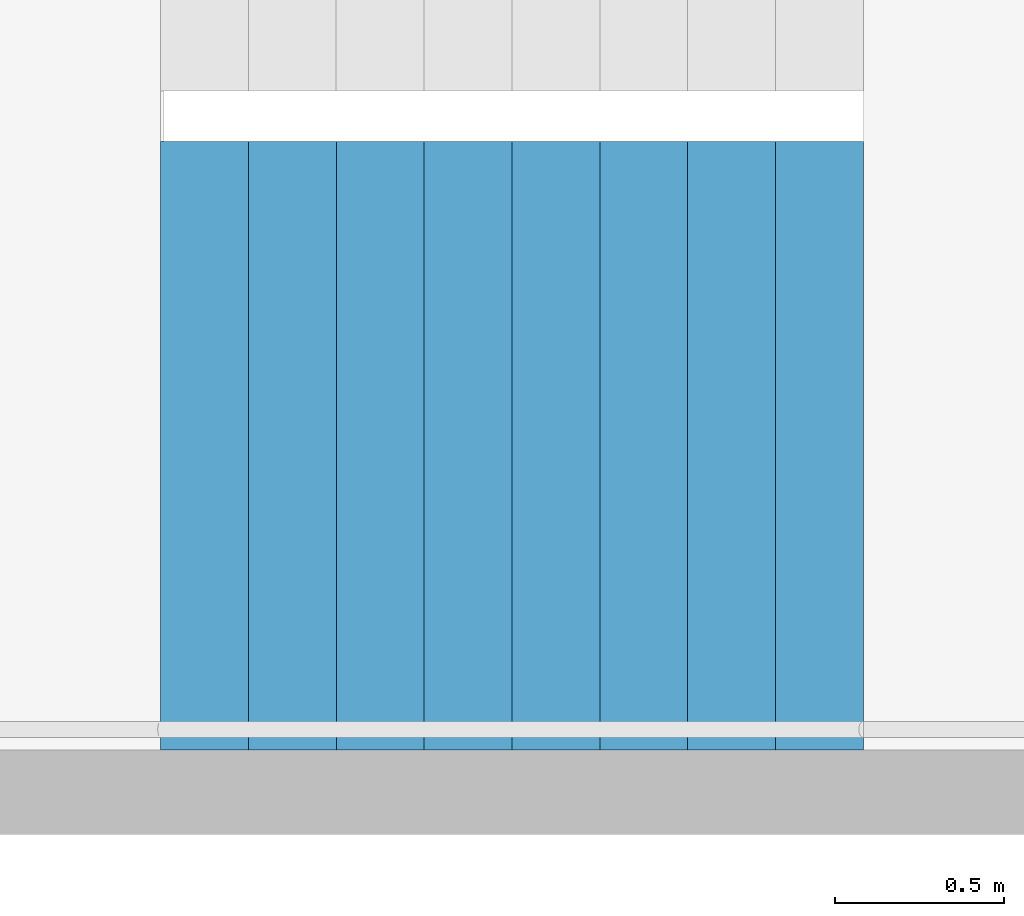
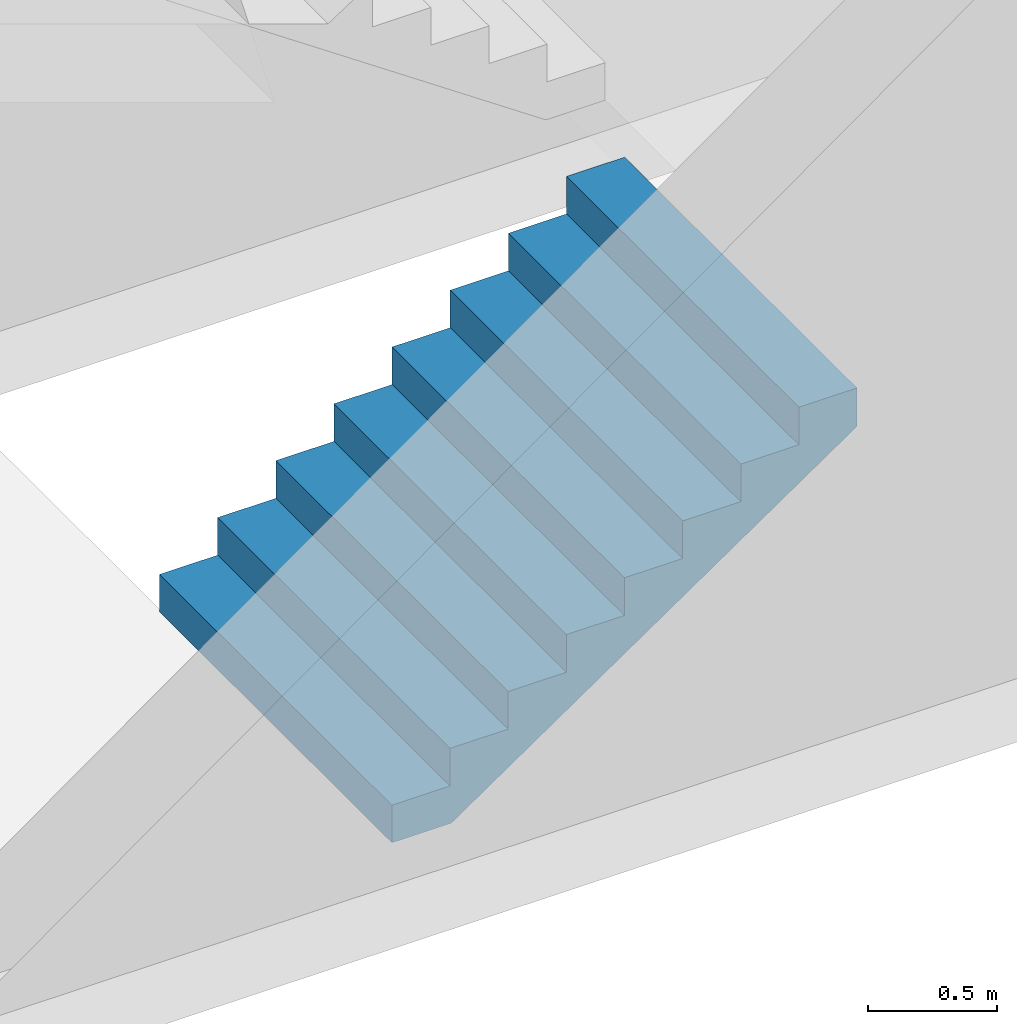
# One storey, part 21 of 44: 1 stair flight, 1 element without a shape of its own.
"""IFC4 building model written with IfcOpenShell, lengths in metres."""

from ifc_helpers import new_model, si_unit, direction, frame, origin, place, context, subcontext, project, spatial, triangles, material, type_object, element, aggregate, save


model = new_model("IFC4")

# Units and contexts
model_context = context("Model", 3, precision=1e-05, world=origin(), true_north=direction((0.0, 1.0)))
body_context = subcontext(model_context, "Body", "Model", "MODEL_VIEW")
ifc_project = project(units=[si_unit("LENGTHUNIT", "METRE"), si_unit("AREAUNIT", "SQUARE_METRE"), si_unit("VOLUMEUNIT", "CUBIC_METRE"), si_unit("PLANEANGLEUNIT", "RADIAN"), si_unit("MASSUNIT", "GRAM", prefix="KILO")], contexts=[model_context])

# Site, building, storey
site_placement = place(None, origin())
site = spatial("IfcSite", under=ifc_project, at=site_placement, CompositionType="ELEMENT")
building_placement = place(site_placement, origin())
building = spatial("IfcBuilding", under=site, at=building_placement, Name="Hakoniwa Tower and Hamabe Station Hall", CompositionType="ELEMENT")
storey_placement = place(building_placement, frame((0.0, 0.0, 69.0)))
storey = spatial("IfcBuildingStorey", under=building, at=storey_placement, Name="L19", CompositionType="ELEMENT", Elevation=69.0)

# Stair, stair flight
ifc_material_1 = material(Name="Concrete C40", Category="concrete")
stair_type = type_object("IfcStairType", Name="ESCAPE STAIR 1800", PredefinedType="HALF_TURN_STAIR", material=ifc_material_1)
stair_placement = place(storey_placement, origin())
stair = element("IfcStair", 1, at=stair_placement, inside=storey, type_object=stair_type, Name="Escape stair ST-1 L19", PredefinedType="HALF_TURN_STAIR")
ifc_material_2 = material(Name="Concrete C40", Category="concrete")
stair_flight_type = type_object("IfcStairFlightType", Name="STAIR FLIGHT 1800", PredefinedType="STRAIGHT", material=ifc_material_2)
stair_flight_placement = place(storey_placement, frame((-24.39990234375, 4.64990234375, 0.0), z_axis=(0.0, 0.0, 1.0), x_axis=(1.0, 0.0, 0.0)))
stair_flight = element("IfcStairFlight", 2, at=stair_flight_placement, type_object=stair_flight_type, Name="ST-1 flight 1", NumberOfRisers=9, NumberOfTreads=8, PredefinedType="STRAIGHT", RiserHeight=0.177777778, TreadLength=0.26, context=body_context, shape_type="Tessellation", body=[
    triangles([(0.0, 0.89990234375, 0.0), (0.260009765625, 0.89990234375, 0.0), (0.265625, 0.89990234375, 0.0), (0.52001953125, 0.89990234375, 0.174072265625), (0.780029296875, 0.89990234375, 0.351806640625), (1.0400390625, 0.89990234375, 0.529541015625), (1.300048828125, 0.89990234375, 0.707275390625), (1.56005859375, 0.89990234375, 0.885009765625), (1.820068359375, 0.89990234375, 1.062744140625), (2.080078125, 0.89990234375, 1.24072265625), (2.080078125, 0.89990234375, 1.422119140625), (1.820068359375, 0.89990234375, 1.422119140625), (1.820068359375, 0.89990234375, 1.244384765625), (1.56005859375, 0.89990234375, 1.244384765625), (1.56005859375, 0.89990234375, 1.066650390625), (1.300048828125, 0.89990234375, 1.066650390625), (1.300048828125, 0.89990234375, 0.888916015625), (1.0400390625, 0.89990234375, 0.888916015625), (1.0400390625, 0.89990234375, 0.711181640625), (0.780029296875, 0.89990234375, 0.711181640625), (0.780029296875, 0.89990234375, 0.533447265625), (0.52001953125, 0.89990234375, 0.533447265625), (0.52001953125, 0.89990234375, 0.35546875), (0.265625, 0.89990234375, 0.35546875), (0.260009765625, 0.89990234375, 0.35546875), (0.260009765625, 0.89990234375, 0.177734375), (0.0, 0.89990234375, 0.177734375), (0.0, 0.06005859375, 0.0), (0.260009765625, 0.06005859375, 0.0), (0.265625, 0.06005859375, 0.0), (0.52001953125, 0.06005859375, 0.174072265625), (0.780029296875, 0.06005859375, 0.351806640625), (1.0400390625, 0.06005859375, 0.529541015625), (1.300048828125, 0.06005859375, 0.707275390625), (1.56005859375, 0.06005859375, 0.885009765625), (1.820068359375, 0.06005859375, 1.062744140625), (2.080078125, 0.06005859375, 1.24072265625), (2.080078125, 0.06005859375, 1.422119140625), (1.820068359375, 0.06005859375, 1.422119140625), (1.820068359375, 0.06005859375, 1.244384765625), (1.56005859375, 0.06005859375, 1.244384765625), (1.56005859375, 0.06005859375, 1.066650390625), (1.300048828125, 0.06005859375, 1.066650390625), (1.300048828125, 0.06005859375, 0.888916015625), (1.0400390625, 0.06005859375, 0.888916015625), (1.0400390625, 0.06005859375, 0.711181640625), (0.780029296875, 0.06005859375, 0.711181640625), (0.780029296875, 0.06005859375, 0.533447265625), (0.52001953125, 0.06005859375, 0.533447265625), (0.52001953125, 0.06005859375, 0.35546875), (0.265625, 0.06005859375, 0.35546875), (0.260009765625, 0.06005859375, 0.35546875), (0.260009765625, 0.06005859375, 0.177734375), (0.0, 0.06005859375, 0.177734375), (0.0, 0.04296875, 0.0), (0.260009765625, 0.04296875, 0.0), (0.265625, 0.04296875, 0.0), (0.52001953125, 0.04296875, 0.174072265625), (0.780029296875, 0.04296875, 0.351806640625), (1.0400390625, 0.04296875, 0.529541015625), (1.300048828125, 0.04296875, 0.707275390625), (1.56005859375, 0.04296875, 0.885009765625), (1.820068359375, 0.04296875, 1.062744140625), (2.080078125, 0.04296875, 1.24072265625), (2.080078125, 0.04296875, 1.422119140625), (1.820068359375, 0.04296875, 1.422119140625), (1.820068359375, 0.04296875, 1.244384765625), (1.56005859375, 0.04296875, 1.244384765625), (1.56005859375, 0.04296875, 1.066650390625), (1.300048828125, 0.04296875, 1.066650390625), (1.300048828125, 0.04296875, 0.888916015625), (1.0400390625, 0.04296875, 0.888916015625), (1.0400390625, 0.04296875, 0.711181640625), (0.780029296875, 0.04296875, 0.711181640625), (0.780029296875, 0.04296875, 0.533447265625), (0.52001953125, 0.04296875, 0.533447265625), (0.52001953125, 0.04296875, 0.35546875), (0.265625, 0.04296875, 0.35546875), (0.260009765625, 0.04296875, 0.35546875), (0.260009765625, 0.04296875, 0.177734375), (0.0, 0.04296875, 0.177734375), (0.0, 0.025634765625, 0.0), (0.260009765625, 0.025634765625, 0.0), (0.265625, 0.025634765625, 0.0), (0.52001953125, 0.025634765625, 0.174072265625), (0.780029296875, 0.025634765625, 0.351806640625), (1.0400390625, 0.025634765625, 0.529541015625), (1.300048828125, 0.025634765625, 0.707275390625), (1.56005859375, 0.025634765625, 0.885009765625), (1.820068359375, 0.025634765625, 1.062744140625), (2.080078125, 0.025634765625, 1.24072265625), (2.080078125, 0.025634765625, 1.422119140625), (1.820068359375, 0.025634765625, 1.422119140625), (1.820068359375, 0.025634765625, 1.244384765625), (1.56005859375, 0.025634765625, 1.244384765625), (1.56005859375, 0.025634765625, 1.066650390625), (1.300048828125, 0.025634765625, 1.066650390625), (1.300048828125, 0.025634765625, 0.888916015625), (1.0400390625, 0.025634765625, 0.888916015625), (1.0400390625, 0.025634765625, 0.711181640625), (0.780029296875, 0.025634765625, 0.711181640625), (0.780029296875, 0.025634765625, 0.533447265625), (0.52001953125, 0.025634765625, 0.533447265625), (0.52001953125, 0.025634765625, 0.35546875), (0.265625, 0.025634765625, 0.35546875), (0.260009765625, 0.025634765625, 0.35546875), (0.260009765625, 0.025634765625, 0.177734375), (0.0, 0.025634765625, 0.177734375), (0.0, 0.008544921875, 0.0), (0.260009765625, 0.008544921875, 0.0), (0.265625, 0.008544921875, 0.0), (0.52001953125, 0.008544921875, 0.174072265625), (0.780029296875, 0.008544921875, 0.351806640625), (1.0400390625, 0.008544921875, 0.529541015625), (1.300048828125, 0.008544921875, 0.707275390625), (1.56005859375, 0.008544921875, 0.885009765625), (1.820068359375, 0.008544921875, 1.062744140625), (2.080078125, 0.008544921875, 1.24072265625), (2.080078125, 0.008544921875, 1.422119140625), (1.820068359375, 0.008544921875, 1.422119140625), (1.820068359375, 0.008544921875, 1.244384765625), (1.56005859375, 0.008544921875, 1.244384765625), (1.56005859375, 0.008544921875, 1.066650390625), (1.300048828125, 0.008544921875, 1.066650390625), (1.300048828125, 0.008544921875, 0.888916015625), (1.0400390625, 0.008544921875, 0.888916015625), (1.0400390625, 0.008544921875, 0.711181640625), (0.780029296875, 0.008544921875, 0.711181640625), (0.780029296875, 0.008544921875, 0.533447265625), (0.52001953125, 0.008544921875, 0.533447265625), (0.52001953125, 0.008544921875, 0.35546875), (0.265625, 0.008544921875, 0.35546875), (0.260009765625, 0.008544921875, 0.35546875), (0.260009765625, 0.008544921875, 0.177734375), (0.0, 0.008544921875, 0.177734375), (0.0, -0.008544921875, 0.0), (0.260009765625, -0.008544921875, 0.0), (0.265625, -0.008544921875, 0.0), (0.52001953125, -0.008544921875, 0.174072265625), (0.780029296875, -0.008544921875, 0.351806640625), (1.0400390625, -0.008544921875, 0.529541015625), (1.300048828125, -0.008544921875, 0.707275390625), (1.56005859375, -0.008544921875, 0.885009765625), (1.820068359375, -0.008544921875, 1.062744140625), (2.080078125, -0.008544921875, 1.24072265625), (2.080078125, -0.008544921875, 1.422119140625), (1.820068359375, -0.008544921875, 1.422119140625), (1.820068359375, -0.008544921875, 1.244384765625), (1.56005859375, -0.008544921875, 1.244384765625), (1.56005859375, -0.008544921875, 1.066650390625), (1.300048828125, -0.008544921875, 1.066650390625), (1.300048828125, -0.008544921875, 0.888916015625), (1.0400390625, -0.008544921875, 0.888916015625), (1.0400390625, -0.008544921875, 0.711181640625), (0.780029296875, -0.008544921875, 0.711181640625), (0.780029296875, -0.008544921875, 0.533447265625), (0.52001953125, -0.008544921875, 0.533447265625), (0.52001953125, -0.008544921875, 0.35546875), (0.265625, -0.008544921875, 0.35546875), (0.260009765625, -0.008544921875, 0.35546875), (0.260009765625, -0.008544921875, 0.177734375), (0.0, -0.008544921875, 0.177734375), (0.0, -0.025634765625, 0.0), (0.260009765625, -0.025634765625, 0.0), (0.265625, -0.025634765625, 0.0), (0.52001953125, -0.025634765625, 0.174072265625), (0.780029296875, -0.025634765625, 0.351806640625), (1.0400390625, -0.025634765625, 0.529541015625), (1.300048828125, -0.025634765625, 0.707275390625), (1.56005859375, -0.025634765625, 0.885009765625), (1.820068359375, -0.025634765625, 1.062744140625), (2.080078125, -0.025634765625, 1.24072265625), (2.080078125, -0.025634765625, 1.422119140625), (1.820068359375, -0.025634765625, 1.422119140625), (1.820068359375, -0.025634765625, 1.244384765625), (1.56005859375, -0.025634765625, 1.244384765625), (1.56005859375, -0.025634765625, 1.066650390625), (1.300048828125, -0.025634765625, 1.066650390625), (1.300048828125, -0.025634765625, 0.888916015625), (1.0400390625, -0.025634765625, 0.888916015625), (1.0400390625, -0.025634765625, 0.711181640625), (0.780029296875, -0.025634765625, 0.711181640625), (0.780029296875, -0.025634765625, 0.533447265625), (0.52001953125, -0.025634765625, 0.533447265625), (0.52001953125, -0.025634765625, 0.35546875), (0.265625, -0.025634765625, 0.35546875), (0.260009765625, -0.025634765625, 0.35546875), (0.260009765625, -0.025634765625, 0.177734375), (0.0, -0.025634765625, 0.177734375), (0.0, -0.04296875, 0.0), (0.260009765625, -0.04296875, 0.0), (0.265625, -0.04296875, 0.0), (0.52001953125, -0.04296875, 0.174072265625), (0.780029296875, -0.04296875, 0.351806640625), (1.0400390625, -0.04296875, 0.529541015625), (1.300048828125, -0.04296875, 0.707275390625), (1.56005859375, -0.04296875, 0.885009765625), (1.820068359375, -0.04296875, 1.062744140625), (2.080078125, -0.04296875, 1.24072265625), (2.080078125, -0.04296875, 1.422119140625), (1.820068359375, -0.04296875, 1.422119140625), (1.820068359375, -0.04296875, 1.244384765625), (1.56005859375, -0.04296875, 1.244384765625), (1.56005859375, -0.04296875, 1.066650390625), (1.300048828125, -0.04296875, 1.066650390625), (1.300048828125, -0.04296875, 0.888916015625), (1.0400390625, -0.04296875, 0.888916015625), (1.0400390625, -0.04296875, 0.711181640625), (0.780029296875, -0.04296875, 0.711181640625), (0.780029296875, -0.04296875, 0.533447265625), (0.52001953125, -0.04296875, 0.533447265625), (0.52001953125, -0.04296875, 0.35546875), (0.265625, -0.04296875, 0.35546875), (0.260009765625, -0.04296875, 0.35546875), (0.260009765625, -0.04296875, 0.177734375), (0.0, -0.04296875, 0.177734375), (0.0, -0.06005859375, 0.0), (0.260009765625, -0.06005859375, 0.0), (0.265625, -0.06005859375, 0.0), (0.52001953125, -0.06005859375, 0.174072265625), (0.780029296875, -0.06005859375, 0.351806640625), (1.0400390625, -0.06005859375, 0.529541015625), (1.300048828125, -0.06005859375, 0.707275390625), (1.56005859375, -0.06005859375, 0.885009765625), (1.820068359375, -0.06005859375, 1.062744140625), (2.080078125, -0.06005859375, 1.24072265625), (2.080078125, -0.06005859375, 1.422119140625), (1.820068359375, -0.06005859375, 1.422119140625), (1.820068359375, -0.06005859375, 1.244384765625), (1.56005859375, -0.06005859375, 1.244384765625), (1.56005859375, -0.06005859375, 1.066650390625), (1.300048828125, -0.06005859375, 1.066650390625), (1.300048828125, -0.06005859375, 0.888916015625), (1.0400390625, -0.06005859375, 0.888916015625), (1.0400390625, -0.06005859375, 0.711181640625), (0.780029296875, -0.06005859375, 0.711181640625), (0.780029296875, -0.06005859375, 0.533447265625), (0.52001953125, -0.06005859375, 0.533447265625), (0.52001953125, -0.06005859375, 0.35546875), (0.265625, -0.06005859375, 0.35546875), (0.260009765625, -0.06005859375, 0.35546875), (0.260009765625, -0.06005859375, 0.177734375), (0.0, -0.06005859375, 0.177734375), (0.0, -0.89990234375, 0.0), (0.260009765625, -0.89990234375, 0.0), (0.265625, -0.89990234375, 0.0), (0.52001953125, -0.89990234375, 0.174072265625), (0.780029296875, -0.89990234375, 0.351806640625), (1.0400390625, -0.89990234375, 0.529541015625), (1.300048828125, -0.89990234375, 0.707275390625), (1.56005859375, -0.89990234375, 0.885009765625), (1.820068359375, -0.89990234375, 1.062744140625), (2.080078125, -0.89990234375, 1.24072265625), (2.080078125, -0.89990234375, 1.422119140625), (1.820068359375, -0.89990234375, 1.422119140625), (1.820068359375, -0.89990234375, 1.244384765625), (1.56005859375, -0.89990234375, 1.244384765625), (1.56005859375, -0.89990234375, 1.066650390625), (1.300048828125, -0.89990234375, 1.066650390625), (1.300048828125, -0.89990234375, 0.888916015625), (1.0400390625, -0.89990234375, 0.888916015625), (1.0400390625, -0.89990234375, 0.711181640625), (0.780029296875, -0.89990234375, 0.711181640625), (0.780029296875, -0.89990234375, 0.533447265625), (0.52001953125, -0.89990234375, 0.533447265625), (0.52001953125, -0.89990234375, 0.35546875), (0.265625, -0.89990234375, 0.35546875), (0.260009765625, -0.89990234375, 0.35546875), (0.260009765625, -0.89990234375, 0.177734375), (0.0, -0.89990234375, 0.177734375)], [[2, 27, 26], [245, 269, 270], [2, 1, 27], [245, 270, 244], [3, 25, 24], [246, 267, 268], [3, 26, 25], [246, 268, 269], [3, 2, 26], [246, 269, 245], [4, 24, 23], [247, 266, 267], [4, 3, 24], [247, 267, 246], [5, 22, 21], [248, 264, 265], [5, 23, 22], [248, 265, 266], [5, 4, 23], [248, 266, 247], [6, 20, 19], [249, 262, 263], [6, 21, 20], [249, 263, 264], [6, 5, 21], [249, 264, 248], [7, 18, 17], [250, 260, 261], [7, 19, 18], [250, 261, 262], [7, 6, 19], [250, 262, 249], [8, 16, 15], [251, 258, 259], [8, 17, 16], [251, 259, 260], [8, 7, 17], [251, 260, 250], [9, 14, 13], [252, 256, 257], [9, 15, 14], [252, 257, 258], [9, 8, 15], [252, 258, 251], [10, 12, 11], [253, 254, 255], [10, 13, 12], [253, 255, 256], [10, 9, 13], [253, 256, 252], [1, 2, 29], [1, 29, 28], [28, 29, 56], [28, 56, 55], [55, 56, 83], [55, 83, 82], [82, 83, 110], [82, 110, 109], [109, 110, 137], [109, 137, 136], [136, 137, 164], [136, 164, 163], [163, 164, 191], [163, 191, 190], [190, 191, 218], [190, 218, 217], [217, 218, 245], [217, 245, 244], [2, 3, 30], [2, 30, 29], [29, 30, 57], [29, 57, 56], [56, 57, 84], [56, 84, 83], [83, 84, 111], [83, 111, 110], [110, 111, 138], [110, 138, 137], [137, 138, 165], [137, 165, 164], [164, 165, 192], [164, 192, 191], [191, 192, 219], [191, 219, 218], [218, 219, 246], [218, 246, 245], [3, 4, 31], [3, 31, 30], [30, 31, 58], [30, 58, 57], [57, 58, 85], [57, 85, 84], [84, 85, 112], [84, 112, 111], [111, 112, 139], [111, 139, 138], [138, 139, 166], [138, 166, 165], [165, 166, 193], [165, 193, 192], [192, 193, 220], [192, 220, 219], [219, 220, 247], [219, 247, 246], [4, 5, 32], [4, 32, 31], [31, 32, 59], [31, 59, 58], [58, 59, 86], [58, 86, 85], [85, 86, 113], [85, 113, 112], [112, 113, 140], [112, 140, 139], [139, 140, 167], [139, 167, 166], [166, 167, 194], [166, 194, 193], [193, 194, 221], [193, 221, 220], [220, 221, 248], [220, 248, 247], [5, 6, 33], [5, 33, 32], [32, 33, 60], [32, 60, 59], [59, 60, 87], [59, 87, 86], [86, 87, 114], [86, 114, 113], [113, 114, 141], [113, 141, 140], [140, 141, 168], [140, 168, 167], [167, 168, 195], [167, 195, 194], [194, 195, 222], [194, 222, 221], [221, 222, 249], [221, 249, 248], [6, 7, 34], [6, 34, 33], [33, 34, 61], [33, 61, 60], [60, 61, 88], [60, 88, 87], [87, 88, 115], [87, 115, 114], [114, 115, 142], [114, 142, 141], [141, 142, 169], [141, 169, 168], [168, 169, 196], [168, 196, 195], [195, 196, 223], [195, 223, 222], [222, 223, 250], [222, 250, 249], [7, 8, 35], [7, 35, 34], [34, 35, 62], [34, 62, 61], [61, 62, 89], [61, 89, 88], [88, 89, 116], [88, 116, 115], [115, 116, 143], [115, 143, 142], [142, 143, 170], [142, 170, 169], [169, 170, 197], [169, 197, 196], [196, 197, 224], [196, 224, 223], [223, 224, 251], [223, 251, 250], [8, 9, 36], [8, 36, 35], [35, 36, 63], [35, 63, 62], [62, 63, 90], [62, 90, 89], [89, 90, 117], [89, 117, 116], [116, 117, 144], [116, 144, 143], [143, 144, 171], [143, 171, 170], [170, 171, 198], [170, 198, 197], [197, 198, 225], [197, 225, 224], [224, 225, 252], [224, 252, 251], [9, 10, 37], [9, 37, 36], [36, 37, 64], [36, 64, 63], [63, 64, 91], [63, 91, 90], [90, 91, 118], [90, 118, 117], [117, 118, 145], [117, 145, 144], [144, 145, 172], [144, 172, 171], [171, 172, 199], [171, 199, 198], [198, 199, 226], [198, 226, 225], [225, 226, 253], [225, 253, 252], [10, 11, 38], [10, 38, 37], [37, 38, 65], [37, 65, 64], [64, 65, 92], [64, 92, 91], [91, 92, 119], [91, 119, 118], [118, 119, 146], [118, 146, 145], [145, 146, 173], [145, 173, 172], [172, 173, 200], [172, 200, 199], [199, 200, 227], [199, 227, 226], [226, 227, 254], [226, 254, 253], [11, 12, 39], [11, 39, 38], [38, 39, 66], [38, 66, 65], [65, 66, 93], [65, 93, 92], [92, 93, 120], [92, 120, 119], [119, 120, 147], [119, 147, 146], [146, 147, 174], [146, 174, 173], [173, 174, 201], [173, 201, 200], [200, 201, 228], [200, 228, 227], [227, 228, 255], [227, 255, 254], [12, 13, 40], [12, 40, 39], [39, 40, 67], [39, 67, 66], [66, 67, 94], [66, 94, 93], [93, 94, 121], [93, 121, 120], [120, 121, 148], [120, 148, 147], [147, 148, 175], [147, 175, 174], [174, 175, 202], [174, 202, 201], [201, 202, 229], [201, 229, 228], [228, 229, 256], [228, 256, 255], [13, 14, 41], [13, 41, 40], [40, 41, 68], [40, 68, 67], [67, 68, 95], [67, 95, 94], [94, 95, 122], [94, 122, 121], [121, 122, 149], [121, 149, 148], [148, 149, 176], [148, 176, 175], [175, 176, 203], [175, 203, 202], [202, 203, 230], [202, 230, 229], [229, 230, 257], [229, 257, 256], [14, 15, 42], [14, 42, 41], [41, 42, 69], [41, 69, 68], [68, 69, 96], [68, 96, 95], [95, 96, 123], [95, 123, 122], [122, 123, 150], [122, 150, 149], [149, 150, 177], [149, 177, 176], [176, 177, 204], [176, 204, 203], [203, 204, 231], [203, 231, 230], [230, 231, 258], [230, 258, 257], [15, 16, 43], [15, 43, 42], [42, 43, 70], [42, 70, 69], [69, 70, 97], [69, 97, 96], [96, 97, 124], [96, 124, 123], [123, 124, 151], [123, 151, 150], [150, 151, 178], [150, 178, 177], [177, 178, 205], [177, 205, 204], [204, 205, 232], [204, 232, 231], [231, 232, 259], [231, 259, 258], [16, 17, 44], [16, 44, 43], [43, 44, 71], [43, 71, 70], [70, 71, 98], [70, 98, 97], [97, 98, 125], [97, 125, 124], [124, 125, 152], [124, 152, 151], [151, 152, 179], [151, 179, 178], [178, 179, 206], [178, 206, 205], [205, 206, 233], [205, 233, 232], [232, 233, 260], [232, 260, 259], [17, 18, 45], [17, 45, 44], [44, 45, 72], [44, 72, 71], [71, 72, 99], [71, 99, 98], [98, 99, 126], [98, 126, 125], [125, 126, 153], [125, 153, 152], [152, 153, 180], [152, 180, 179], [179, 180, 207], [179, 207, 206], [206, 207, 234], [206, 234, 233], [233, 234, 261], [233, 261, 260], [18, 19, 46], [18, 46, 45], [45, 46, 73], [45, 73, 72], [72, 73, 100], [72, 100, 99], [99, 100, 127], [99, 127, 126], [126, 127, 154], [126, 154, 153], [153, 154, 181], [153, 181, 180], [180, 181, 208], [180, 208, 207], [207, 208, 235], [207, 235, 234], [234, 235, 262], [234, 262, 261], [19, 20, 47], [19, 47, 46], [46, 47, 74], [46, 74, 73], [73, 74, 101], [73, 101, 100], [100, 101, 128], [100, 128, 127], [127, 128, 155], [127, 155, 154], [154, 155, 182], [154, 182, 181], [181, 182, 209], [181, 209, 208], [208, 209, 236], [208, 236, 235], [235, 236, 263], [235, 263, 262], [20, 21, 48], [20, 48, 47], [47, 48, 75], [47, 75, 74], [74, 75, 102], [74, 102, 101], [101, 102, 129], [101, 129, 128], [128, 129, 156], [128, 156, 155], [155, 156, 183], [155, 183, 182], [182, 183, 210], [182, 210, 209], [209, 210, 237], [209, 237, 236], [236, 237, 264], [236, 264, 263], [21, 22, 49], [21, 49, 48], [48, 49, 76], [48, 76, 75], [75, 76, 103], [75, 103, 102], [102, 103, 130], [102, 130, 129], [129, 130, 157], [129, 157, 156], [156, 157, 184], [156, 184, 183], [183, 184, 211], [183, 211, 210], [210, 211, 238], [210, 238, 237], [237, 238, 265], [237, 265, 264], [22, 23, 50], [22, 50, 49], [49, 50, 77], [49, 77, 76], [76, 77, 104], [76, 104, 103], [103, 104, 131], [103, 131, 130], [130, 131, 158], [130, 158, 157], [157, 158, 185], [157, 185, 184], [184, 185, 212], [184, 212, 211], [211, 212, 239], [211, 239, 238], [238, 239, 266], [238, 266, 265], [23, 24, 51], [23, 51, 50], [50, 51, 78], [50, 78, 77], [77, 78, 105], [77, 105, 104], [104, 105, 132], [104, 132, 131], [131, 132, 159], [131, 159, 158], [158, 159, 186], [158, 186, 185], [185, 186, 213], [185, 213, 212], [212, 213, 240], [212, 240, 239], [239, 240, 267], [239, 267, 266], [24, 25, 52], [24, 52, 51], [51, 52, 79], [51, 79, 78], [78, 79, 106], [78, 106, 105], [105, 106, 133], [105, 133, 132], [132, 133, 160], [132, 160, 159], [159, 160, 187], [159, 187, 186], [186, 187, 214], [186, 214, 213], [213, 214, 241], [213, 241, 240], [240, 241, 268], [240, 268, 267], [25, 26, 53], [25, 53, 52], [52, 53, 80], [52, 80, 79], [79, 80, 107], [79, 107, 106], [106, 107, 134], [106, 134, 133], [133, 134, 161], [133, 161, 160], [160, 161, 188], [160, 188, 187], [187, 188, 215], [187, 215, 214], [214, 215, 242], [214, 242, 241], [241, 242, 269], [241, 269, 268], [26, 27, 54], [26, 54, 53], [53, 54, 81], [53, 81, 80], [80, 81, 108], [80, 108, 107], [107, 108, 135], [107, 135, 134], [134, 135, 162], [134, 162, 161], [161, 162, 189], [161, 189, 188], [188, 189, 216], [188, 216, 215], [215, 216, 243], [215, 243, 242], [242, 243, 270], [242, 270, 269], [27, 1, 28], [27, 28, 54], [54, 28, 55], [54, 55, 81], [81, 55, 82], [81, 82, 108], [108, 82, 109], [108, 109, 135], [135, 109, 136], [135, 136, 162], [162, 136, 163], [162, 163, 189], [189, 163, 190], [189, 190, 216], [216, 190, 217], [216, 217, 243], [243, 217, 244], [243, 244, 270]], closed=True),
])
aggregate(stair, [stair_flight])

save(model, "model.ifc")
